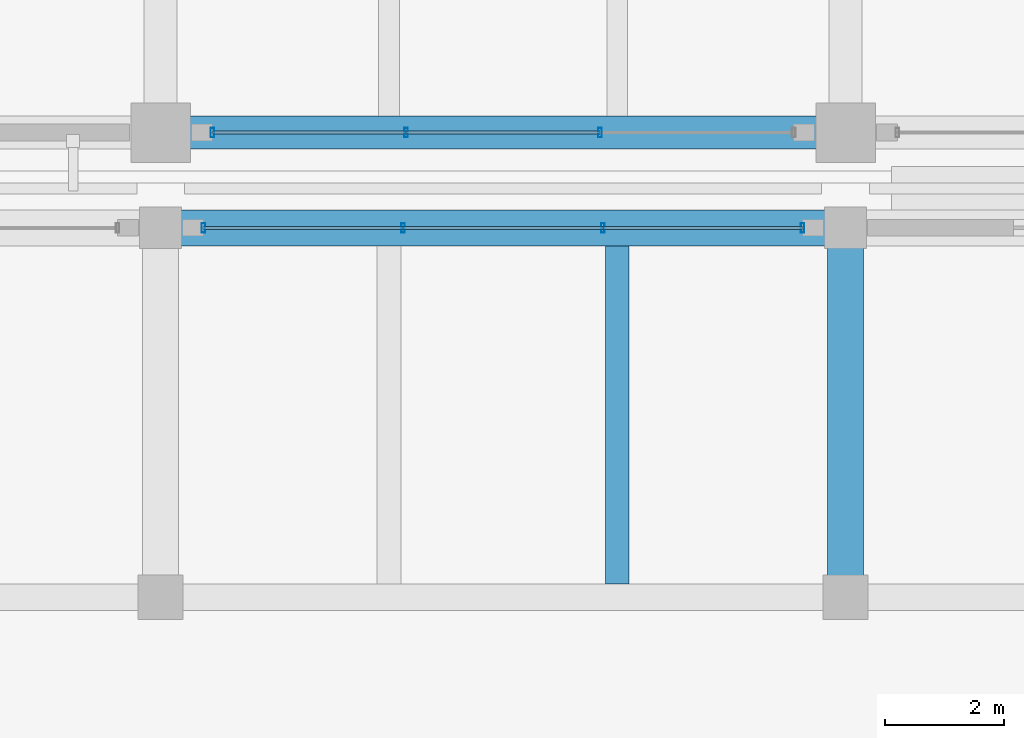
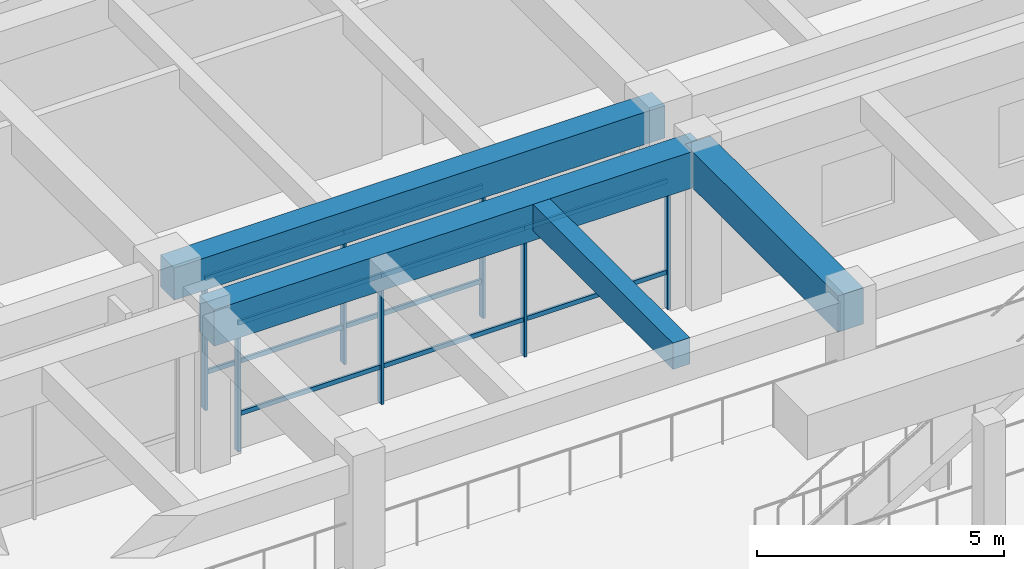
# One storey, part 63 of 109: 17 members, 4 beams, 2 elements without a shape of their own.
"""IFC4 building model written with IfcOpenShell, lengths in metres."""

from ifc_helpers import new_model, si_unit, direction, frame, origin, origin_2d, place, context, subcontext, project, spatial, rectangle, hollow_rectangle, extrude, material, material_profile, profile_set, type_object, element, aggregate, save


model = new_model("IFC4")

# Units and contexts
model_context = context("Model", 3, precision=1e-05, world=origin(), true_north=direction((0.0, 1.0)))
body_context = subcontext(model_context, "Body", "Model", "MODEL_VIEW")
ifc_project = project(units=[si_unit("LENGTHUNIT", "METRE"), si_unit("AREAUNIT", "SQUARE_METRE"), si_unit("VOLUMEUNIT", "CUBIC_METRE"), si_unit("PLANEANGLEUNIT", "RADIAN"), si_unit("MASSUNIT", "GRAM", prefix="KILO")], contexts=[model_context])

# Site, building, storey
site_placement = place(None, origin())
site = spatial("IfcSite", under=ifc_project, at=site_placement, CompositionType="ELEMENT")
building_placement = place(site_placement, origin())
building = spatial("IfcBuilding", under=site, at=building_placement, Name="Ologun Quay Terminus", CompositionType="ELEMENT")
storey_placement = place(building_placement, origin())
storey = spatial("IfcBuildingStorey", under=building, at=storey_placement, Name="L00", CompositionType="ELEMENT", Elevation=0.0)

# Curtain wall, members
ifc_material_1 = material(Name="Aluminium 6063-T6", Category="aluminium")
curtain_wall_type_1 = type_object("IfcCurtainWallType", Name="Ticket Hall Grand Portal Curtain Wall 10700x7700", PredefinedType="USERDEFINED", material=ifc_material_1)
curtain_wall_1_placement = place(storey_placement, origin())
curtain_wall_1 = element("IfcCurtainWall", 1, at=curtain_wall_1_placement, inside=storey, type_object=curtain_wall_type_1, Name="CW-01 Curtain Wall CW-L00-087", ObjectType="UNITISED CURTAIN WALL", PredefinedType="USERDEFINED")
ifc_material_2 = material(Name="Aluminium 6063-T6", Category="aluminium")
ifc_material_profile_1 = material_profile(ifc_material_2, hollow_rectangle(XDim=0.06005859375, YDim=0.159912109375, WallThickness=0.00390625, at=origin_2d()), Name="ALU 160x60x4")
ifc_profile_set_1 = profile_set([ifc_material_profile_1], Name="Aluminium 6063-T6")
member_type_1 = type_object("IfcMemberType", Name="Courtyard Screen Mullion 160x65", PredefinedType="MULLION", material=ifc_profile_set_1)
member_1_placement = place(storey_placement, frame((127.219970703125, 84.199951171875, 0.0), z_axis=(0.0, 0.0, 1.0), x_axis=(1.0, 0.0, 0.0)))
member_1 = element("IfcMember", 2, at=member_1_placement, type_object=member_type_1, Name="CW-L00-087 Mullion 1", PredefinedType="MULLION", context=body_context, shape_type="SweptSolid", body=[
    extrude(hollow_rectangle(XDim=0.06005859375, YDim=0.159912109375, WallThickness=0.00390625, at=origin_2d()), origin(), (0.0, 0.0, 1.0), 3.85009765625),
])
member_2_placement = place(storey_placement, frame((130.5732421875, 84.199951171875, 0.0), z_axis=(0.0, 0.0, 1.0), x_axis=(1.0, 0.0, 0.0)))
member_2 = element("IfcMember", 3, at=member_2_placement, type_object=member_type_1, Name="CW-L00-087 Mullion 2", PredefinedType="MULLION", context=body_context, shape_type="SweptSolid", body=[
    extrude(hollow_rectangle(XDim=0.06005859375, YDim=0.159912109375, WallThickness=0.00390625, at=origin_2d()), origin(), (0.0, 0.0, 1.0), 3.85009765625),
])
member_3_placement = place(storey_placement, frame((133.9267578125, 84.199951171875, 0.0), z_axis=(0.0, 0.0, 1.0), x_axis=(1.0, 0.0, 0.0)))
member_3 = element("IfcMember", 4, at=member_3_placement, type_object=member_type_1, Name="CW-L00-087 Mullion 3", PredefinedType="MULLION", context=body_context, shape_type="SweptSolid", body=[
    extrude(hollow_rectangle(XDim=0.06005859375, YDim=0.159912109375, WallThickness=0.00390625, at=origin_2d()), origin(), (0.0, 0.0, 1.0), 3.85009765625),
])
member_4_placement = place(storey_placement, frame((137.280029296875, 84.199951171875, 0.0), z_axis=(0.0, 0.0, 1.0), x_axis=(1.0, 0.0, 0.0)))
member_4 = element("IfcMember", 5, at=member_4_placement, type_object=member_type_1, Name="CW-L00-087 Mullion 4", PredefinedType="MULLION", context=body_context, shape_type="SweptSolid", body=[
    extrude(hollow_rectangle(XDim=0.06005859375, YDim=0.159912109375, WallThickness=0.00390625, at=origin_2d()), origin(), (0.0, 0.0, 1.0), 3.85009765625),
])

ifc_material_3 = material(Name="Aluminium 6063-T6", Category="aluminium")
curtain_wall_type_2 = type_object("IfcCurtainWallType", Name="Waterfront Pavilion Harbour Curtain Wall L00 10500x3750", PredefinedType="USERDEFINED", material=ifc_material_3)
curtain_wall_2_placement = place(storey_placement, origin())
curtain_wall_2 = element("IfcCurtainWall", 6, at=curtain_wall_2_placement, inside=storey, type_object=curtain_wall_type_2, Name="CW-22 Curtain Wall CW-L00-118", ObjectType="UNITISED CURTAIN WALL", PredefinedType="USERDEFINED")
member_5_placement = place(storey_placement, frame((127.3701171875, 85.800048828125, 0.0), z_axis=(0.0, 0.0, 1.0), x_axis=(1.0, 0.0, 0.0)))
member_5 = element("IfcMember", 7, at=member_5_placement, type_object=member_type_1, Name="CW-L00-118 Mullion 1", PredefinedType="MULLION", context=body_context, shape_type="SweptSolid", body=[
    extrude(hollow_rectangle(XDim=0.06005859375, YDim=0.159912109375, WallThickness=0.00390625, at=origin_2d()), origin(), (0.0, 0.0, 1.0), 3.929931640625),
])
member_6_placement = place(storey_placement, frame((130.623291015625, 85.800048828125, 0.0), z_axis=(0.0, 0.0, 1.0), x_axis=(1.0, 0.0, 0.0)))
member_6 = element("IfcMember", 8, at=member_6_placement, type_object=member_type_1, Name="CW-L00-118 Mullion 2", PredefinedType="MULLION", context=body_context, shape_type="SweptSolid", body=[
    extrude(hollow_rectangle(XDim=0.06005859375, YDim=0.159912109375, WallThickness=0.00390625, at=origin_2d()), origin(), (0.0, 0.0, 1.0), 3.929931640625),
])
member_7_placement = place(storey_placement, frame((133.876708984375, 85.800048828125, 0.0), z_axis=(0.0, 0.0, 1.0), x_axis=(1.0, 0.0, 0.0)))
member_7 = element("IfcMember", 9, at=member_7_placement, type_object=member_type_1, Name="CW-L00-118 Mullion 3", PredefinedType="MULLION", context=body_context, shape_type="SweptSolid", body=[
    extrude(hollow_rectangle(XDim=0.06005859375, YDim=0.159912109375, WallThickness=0.00390625, at=origin_2d()), origin(), (0.0, 0.0, 1.0), 3.929931640625),
])

# Member
ifc_material_4 = material(Name="Aluminium 6063-T6", Category="aluminium")
ifc_material_profile_2 = material_profile(ifc_material_4, hollow_rectangle(XDim=0.054931640625, YDim=0.110107421875, WallThickness=0.00390625, at=origin_2d()), Name="ALU 110x55x4")
ifc_profile_set_2 = profile_set([ifc_material_profile_2], Name="Aluminium 6063-T6")
member_type_2 = type_object("IfcMemberType", Name="Courtyard Screen Transom 110x55", PredefinedType="USERDEFINED", material=ifc_profile_set_2)
member_8_placement = place(storey_placement, frame((127.219970703125, 84.199951171875, 0.89990234375), z_axis=(1.0, 0.0, 0.0), x_axis=(0.0, 1.0, 0.0)))
member_8 = element("IfcMember", 10, at=member_8_placement, type_object=member_type_2, Name="CW-L00-087 Transom B1-1", ObjectType="TRANSOM", PredefinedType="USERDEFINED", context=body_context, shape_type="SweptSolid", body=[
    extrude(hollow_rectangle(XDim=0.054931640625, YDim=0.110107421875, WallThickness=0.00390625, at=origin_2d()), origin(), (0.0, 0.0, 1.0), 3.353271484375),
])

member_9_placement = place(storey_placement, frame((127.219970703125, 84.199951171875, 3.14990234375), z_axis=(1.0, 0.0, 0.0), x_axis=(0.0, 1.0, 0.0)))
member_9 = element("IfcMember", 11, at=member_9_placement, type_object=member_type_2, Name="CW-L00-087 Transom B1-2", ObjectType="TRANSOM", PredefinedType="USERDEFINED", context=body_context, shape_type="SweptSolid", body=[
    extrude(hollow_rectangle(XDim=0.054931640625, YDim=0.110107421875, WallThickness=0.00390625, at=origin_2d()), origin(), (0.0, 0.0, 1.0), 3.353271484375),
])

member_10_placement = place(storey_placement, frame((130.5732421875, 84.199951171875, 0.89990234375), z_axis=(1.0, 0.0, 0.0), x_axis=(0.0, 1.0, 0.0)))
member_10 = element("IfcMember", 12, at=member_10_placement, type_object=member_type_2, Name="CW-L00-087 Transom B2-1", ObjectType="TRANSOM", PredefinedType="USERDEFINED", context=body_context, shape_type="SweptSolid", body=[
    extrude(hollow_rectangle(XDim=0.054931640625, YDim=0.110107421875, WallThickness=0.00390625, at=origin_2d()), origin(), (0.0, 0.0, 1.0), 3.353515625),
])

member_11_placement = place(storey_placement, frame((130.5732421875, 84.199951171875, 3.14990234375), z_axis=(1.0, 0.0, 0.0), x_axis=(0.0, 1.0, 0.0)))
member_11 = element("IfcMember", 13, at=member_11_placement, type_object=member_type_2, Name="CW-L00-087 Transom B2-2", ObjectType="TRANSOM", PredefinedType="USERDEFINED", context=body_context, shape_type="SweptSolid", body=[
    extrude(hollow_rectangle(XDim=0.054931640625, YDim=0.110107421875, WallThickness=0.00390625, at=origin_2d()), origin(), (0.0, 0.0, 1.0), 3.353515625),
])

member_12_placement = place(storey_placement, frame((133.9267578125, 84.199951171875, 0.89990234375), z_axis=(1.0, 0.0, 0.0), x_axis=(0.0, 1.0, 0.0)))
member_12 = element("IfcMember", 14, at=member_12_placement, type_object=member_type_2, Name="CW-L00-087 Transom B3-1", ObjectType="TRANSOM", PredefinedType="USERDEFINED", context=body_context, shape_type="SweptSolid", body=[
    extrude(hollow_rectangle(XDim=0.054931640625, YDim=0.110107421875, WallThickness=0.00390625, at=origin_2d()), origin(), (0.0, 0.0, 1.0), 3.353271484375),
])

member_13_placement = place(storey_placement, frame((133.9267578125, 84.199951171875, 3.14990234375), z_axis=(1.0, 0.0, 0.0), x_axis=(0.0, 1.0, 0.0)))
member_13 = element("IfcMember", 15, at=member_13_placement, type_object=member_type_2, Name="CW-L00-087 Transom B3-2", ObjectType="TRANSOM", PredefinedType="USERDEFINED", context=body_context, shape_type="SweptSolid", body=[
    extrude(hollow_rectangle(XDim=0.054931640625, YDim=0.110107421875, WallThickness=0.00390625, at=origin_2d()), origin(), (0.0, 0.0, 1.0), 3.353271484375),
])

aggregate(curtain_wall_1, [member_1, member_2, member_3, member_4, member_8, member_9, member_10, member_11, member_12, member_13])

member_14_placement = place(storey_placement, frame((127.3701171875, 85.800048828125, 0.89990234375), z_axis=(1.0, 0.0, 0.0), x_axis=(0.0, 1.0, 0.0)))
member_14 = element("IfcMember", 16, at=member_14_placement, type_object=member_type_2, Name="CW-L00-118 Transom B1-1", ObjectType="TRANSOM", PredefinedType="USERDEFINED", context=body_context, shape_type="SweptSolid", body=[
    extrude(hollow_rectangle(XDim=0.054931640625, YDim=0.110107421875, WallThickness=0.00390625, at=origin_2d()), origin(), (0.0, 0.0, 1.0), 3.253173828125),
])

member_15_placement = place(storey_placement, frame((127.3701171875, 85.800048828125, 3.22998046875), z_axis=(1.0, 0.0, 0.0), x_axis=(0.0, 1.0, 0.0)))
member_15 = element("IfcMember", 17, at=member_15_placement, type_object=member_type_2, Name="CW-L00-118 Transom B1-2", ObjectType="TRANSOM", PredefinedType="USERDEFINED", context=body_context, shape_type="SweptSolid", body=[
    extrude(hollow_rectangle(XDim=0.054931640625, YDim=0.110107421875, WallThickness=0.00390625, at=origin_2d()), origin(), (0.0, 0.0, 1.0), 3.253173828125),
])

member_16_placement = place(storey_placement, frame((130.623291015625, 85.800048828125, 0.89990234375), z_axis=(1.0, 0.0, 0.0), x_axis=(0.0, 1.0, 0.0)))
member_16 = element("IfcMember", 18, at=member_16_placement, type_object=member_type_2, Name="CW-L00-118 Transom B2-1", ObjectType="TRANSOM", PredefinedType="USERDEFINED", context=body_context, shape_type="SweptSolid", body=[
    extrude(hollow_rectangle(XDim=0.054931640625, YDim=0.110107421875, WallThickness=0.00390625, at=origin_2d()), origin(), (0.0, 0.0, 1.0), 3.25341796875),
])

member_17_placement = place(storey_placement, frame((130.623291015625, 85.800048828125, 3.22998046875), z_axis=(1.0, 0.0, 0.0), x_axis=(0.0, 1.0, 0.0)))
member_17 = element("IfcMember", 19, at=member_17_placement, type_object=member_type_2, Name="CW-L00-118 Transom B2-2", ObjectType="TRANSOM", PredefinedType="USERDEFINED", context=body_context, shape_type="SweptSolid", body=[
    extrude(hollow_rectangle(XDim=0.054931640625, YDim=0.110107421875, WallThickness=0.00390625, at=origin_2d()), origin(), (0.0, 0.0, 1.0), 3.25341796875),
])

aggregate(curtain_wall_2, [member_5, member_6, member_7, member_14, member_15, member_16, member_17])

# Beams
ifc_material_5 = material(Name="Concrete C40/50", Category="concrete")
ifc_material_profile_3 = material_profile(ifc_material_5, rectangle(XDim=0.550048828125, YDim=0.800048828125, at=origin_2d()), Name="RC 550x800")
ifc_profile_set_3 = profile_set([ifc_material_profile_3], Name="Concrete C40/50")
beam_type_1 = type_object("IfcBeamType", Name="Courtyard Wing Primary Girder 550x800", PredefinedType="BEAM", material=ifc_profile_set_3)
beam_1_placement = place(storey_placement, frame((126.5, 85.800048828125, 3.550048828125), z_axis=(1.0, 0.0, 0.0), x_axis=(0.0, 1.0, 0.0)))
element("IfcBeam", 20, at=beam_1_placement, inside=storey, type_object=beam_type_1, Name="B4 Beam 12/G2 L00", PredefinedType="BEAM", context=body_context, shape_type="SweptSolid", body=[
    extrude(rectangle(XDim=0.550048828125, YDim=0.800048828125, at=origin_2d()), origin(), (0.0, 0.0, 1.0), 11.5),
])
ifc_material_6 = material(Name="Concrete C40/50", Category="concrete")
ifc_material_profile_4 = material_profile(ifc_material_6, rectangle(XDim=0.60009765625, YDim=0.89990234375, at=origin_2d()), Name="RC 600x900")
ifc_profile_set_4 = profile_set([ifc_material_profile_4], Name="Concrete C40/50")
beam_type_2 = type_object("IfcBeamType", Name="Station Frame Girder 600x900", PredefinedType="BEAM", material=ifc_profile_set_4)
beam_2_placement = place(storey_placement, frame((126.5, 84.199951171875, 3.449951171875), z_axis=(1.0, 0.0, 0.0), x_axis=(0.0, 1.0, 0.0)))
element("IfcBeam", 21, at=beam_2_placement, inside=storey, type_object=beam_type_2, Name="B3 Beam 12/G1 L00", PredefinedType="BEAM", context=body_context, shape_type="SweptSolid", body=[
    extrude(rectangle(XDim=0.60009765625, YDim=0.89990234375, at=origin_2d()), origin(), (0.0, 0.0, 1.0), 11.5),
])
beam_3_placement = place(storey_placement, frame((138.0, 78.0, 3.449951171875), z_axis=(0.0, 1.0, 0.0), x_axis=(-1.0, 0.0, 0.0)))
element("IfcBeam", 22, at=beam_3_placement, inside=storey, type_object=beam_type_2, Name="B3 Beam 13/F L00", PredefinedType="BEAM", context=body_context, shape_type="SweptSolid", body=[
    extrude(rectangle(XDim=0.60009765625, YDim=0.89990234375, at=origin_2d()), origin(), (0.0, 0.0, 1.0), 6.199951171875),
])
ifc_material_7 = material(Name="Concrete C40/50", Category="concrete")
ifc_material_profile_5 = material_profile(ifc_material_7, rectangle(XDim=0.39990234375, YDim=0.64990234375, at=origin_2d()), Name="RC 400x650")
ifc_profile_set_5 = profile_set([ifc_material_profile_5], Name="Concrete C40/50")
beam_type_3 = type_object("IfcBeamType", Name="Station Secondary Joist 400x650", PredefinedType="JOIST", material=ifc_profile_set_5)
beam_4_placement = place(storey_placement, frame((134.166748046875, 78.22509765625, 3.574951171875), z_axis=(0.0, 1.0, 0.0), x_axis=(-1.0, 0.0, 0.0)))
element("IfcBeam", 23, at=beam_4_placement, inside=storey, type_object=beam_type_3, Name="J1 Beam 12/F L00", PredefinedType="JOIST", context=body_context, shape_type="SweptSolid", body=[
    extrude(rectangle(XDim=0.39990234375, YDim=0.64990234375, at=origin_2d()), origin(), (0.0, 0.0, 1.0), 5.6748046875),
])

save(model, "model.ifc")
